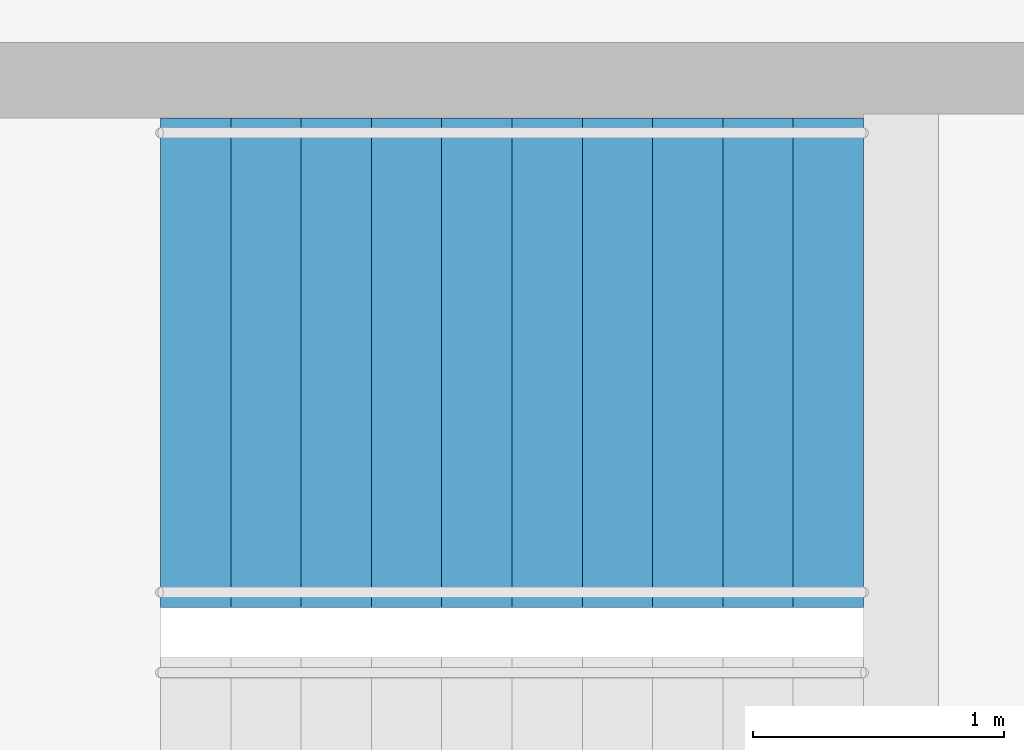
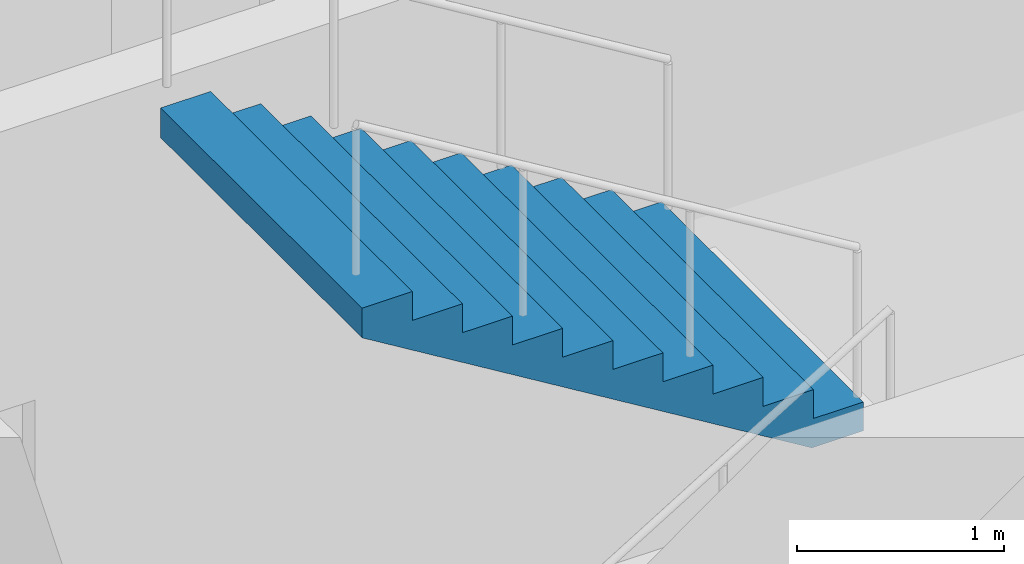
# One storey, part 20 of 23: 1 stair flight, 1 element without a shape of its own.
"""IFC4 building model written with IfcOpenShell, lengths in metres."""

import ifcopenshell
import ifcopenshell.guid

model = None  # the IFC model being written
_history = None  # IfcOwnerHistory: only IFC2X3 demands one
_inside = {}  # id of a spatial element -> (the spatial element, [elements in it])
_under = {}  # id of a project, library or spatial element -> (it, [spatial elements below it])
_declared = {}  # id of a project -> (the project, [libraries it declares])
_typed = {}  # id of a type object -> (the type object, [elements of that type])
_made_of = {}  # id of a material, layer set ... -> (it, [elements and type objects made of it])


def new_model(schema):
    """Start an empty IFC model of exactly this schema.

    Asked for "IFC4X3", IfcOpenShell would pick the latest addendum, in which some entities
    have other attributes; the version numbers below select the first issue.
    IFC2X3 requires an IfcOwnerHistory on every rooted entity: one is made here for all.
    """
    global model, _history
    if schema == "IFC4X3":
        model = ifcopenshell.file(schema_version=(4, 3, 0, 0))
    else:
        model = ifcopenshell.file(schema=schema)
    _inside.clear()
    _under.clear()
    _declared.clear()
    _typed.clear()
    _made_of.clear()
    _history = None
    if model.schema == "IFC2X3":
        org = make("IfcOrganization", Name="unknown")
        user = make(
            "IfcPersonAndOrganization",
            ThePerson=make("IfcPerson", FamilyName="unknown"),
            TheOrganization=org,
        )
        app = make(
            "IfcApplication",
            ApplicationDeveloper=org,
            Version="unknown",
            ApplicationFullName="unknown",
            ApplicationIdentifier="unknown",
        )
        _history = make(
            "IfcOwnerHistory",
            OwningUser=user,
            OwningApplication=app,
            ChangeAction="ADDED",
            CreationDate=0,
        )
    return model


def make(cls, **values):
    """One entity of the class cls with the attributes given. An attribute that is None is left unset."""
    return model.create_entity(
        cls, **{name: value for name, value in values.items() if value is not None}
    )


def rooted(cls, **values):
    """An entity with a GlobalId (a new one), such as an element, a storey or a relation."""
    return make(cls, GlobalId=ifcopenshell.guid.new(), OwnerHistory=_history, **values)


def si_unit(unit_type, name, prefix=None):
    """IfcSIUnit, for example si_unit("LENGTHUNIT", "METRE", prefix="MILLI")."""
    return make("IfcSIUnit", UnitType=unit_type, Prefix=prefix, Name=name)


def assignment(units):
    """IfcUnitAssignment: the units of a project."""
    return None if units is None else make("IfcUnitAssignment", Units=units)


def point(xyz):
    """IfcCartesianPoint."""
    return None if xyz is None else make("IfcCartesianPoint", Coordinates=xyz)


def direction(xyz):
    """IfcDirection."""
    return None if xyz is None else make("IfcDirection", DirectionRatios=xyz)


def frame(location, z_axis=None, x_axis=None):
    """IfcAxis2Placement3D, a coordinate frame: its origin and axes. An axis left out is left unset."""
    return make(
        "IfcAxis2Placement3D",
        Location=point(location),
        Axis=direction(z_axis),
        RefDirection=direction(x_axis),
    )


def origin():
    """The frame at (0, 0, 0) with its axes left unset."""
    return frame((0.0, 0.0, 0.0))


def place(relative_to, where):
    """IfcLocalPlacement: puts the frame where relative to a parent placement (None: the world)."""
    return make(
        "IfcLocalPlacement", PlacementRelTo=relative_to, RelativePlacement=where
    )


def context(
    kind, dimensions, precision=None, world=None, true_north=None, identifier=None
):
    """IfcGeometricRepresentationContext, for example the 3D "Model" context."""
    return make(
        "IfcGeometricRepresentationContext",
        ContextIdentifier=identifier,
        ContextType=kind,
        CoordinateSpaceDimension=dimensions,
        Precision=precision,
        WorldCoordinateSystem=world,
        TrueNorth=true_north,
    )


def subcontext(parent, identifier, kind, view, scale=None):
    """IfcGeometricRepresentationSubContext, for example "Body" below "Model"."""
    return make(
        "IfcGeometricRepresentationSubContext",
        ContextIdentifier=identifier,
        ContextType=kind,
        ParentContext=parent,
        TargetScale=scale,
        TargetView=view,
    )


def project(units=None, contexts=None):
    """IfcProject with its units and contexts."""
    return rooted(
        "IfcProject",
        Name="project",
        RepresentationContexts=contexts,
        UnitsInContext=assignment(units),
    )


def spatial(cls, under=None, at=None, **own):
    """A site, building, storey or space (cls), placed at a placement, below another one or the project."""
    s = rooted(cls, ObjectPlacement=at, **own)
    if under is not None:
        _under.setdefault(under.id(), (under, []))[1].append(s)
    return s


def point_list(points):
    """IfcCartesianPointList2D or 3D."""
    cls = (
        "IfcCartesianPointList2D" if len(points[0]) == 2 else "IfcCartesianPointList3D"
    )
    return make(cls, CoordList=points)


def triangles(points, corners, closed=None, point_numbers=None):
    """IfcTriangulatedFaceSet: each triangle names its three corners, points numbered from 1."""
    return make(
        "IfcTriangulatedFaceSet",
        Coordinates=point_list(points),
        Closed=closed,
        CoordIndex=corners,
        PnIndex=point_numbers,
    )


def shape(context_of_items, identifier, shape_type, items):
    """IfcShapeRepresentation: the items that make up one representation, for example the "Body"."""
    return make(
        "IfcShapeRepresentation",
        ContextOfItems=context_of_items,
        RepresentationIdentifier=identifier,
        RepresentationType=shape_type,
        Items=items,
    )


def material(Name=None, Category=None):
    """IfcMaterial."""
    return make("IfcMaterial", Name=Name, Category=Category)


def made_of(thing, what):
    """Note that an element or type object is made of a material, layer set ...; save() writes the relation."""
    if what is not None:
        _made_of.setdefault(what.id(), (what, []))[1].append(thing)
    return thing


def type_object(cls, material=None, **own):
    """A type object (cls), such as IfcWallType, which elements share."""
    return made_of(rooted(cls, **own), material)


def element(
    cls,
    number,
    at=None,
    inside=None,
    cuts=None,
    type_object=None,
    material=None,
    context=None,
    identifier="Body",
    shape_type=None,
    held_by="IfcProductDefinitionShape",
    body=None,
    shapes=None,
    **own,
):
    """One element of the class cls, such as IfcWall. Its Tag is "e" and its number.

    at: its placement. inside: the storey or other place that contains it. cuts: it is an
    opening in that element (IfcRelVoidsElement). A single representation is given by context,
    identifier, shape_type and body (its items); several are given by shapes. held_by: the class
    of the entity that holds the representations. save() writes the other relations.
    """
    e = rooted(cls, Tag="e%d" % number, ObjectPlacement=at, **own)
    if body is not None:
        shapes = [shape(context, identifier, shape_type, body)]
    if shapes is not None:
        e.Representation = make(held_by, Representations=shapes)
    if inside is not None:
        _inside.setdefault(inside.id(), (inside, []))[1].append(e)
    if cuts is not None:
        rooted(
            "IfcRelVoidsElement", RelatingBuildingElement=cuts, RelatedOpeningElement=e
        )
    if type_object is not None:
        _typed.setdefault(type_object.id(), (type_object, []))[1].append(e)
    return made_of(e, material)


def aggregate(whole, parts):
    """IfcRelAggregates: a whole, such as a stair, and the parts it consists of."""
    return rooted("IfcRelAggregates", RelatingObject=whole, RelatedObjects=parts)


def save(model, path):
    """Write the relations noted so far, then the file.

    IfcRelAggregates (storeys below a building ...), IfcRelContainedInSpatialStructure (elements
    in a storey), IfcRelDefinesByType, IfcRelAssociatesMaterial and IfcRelDeclares: one each for
    every whole, place, type object, material and project.
    """
    for whole, parts in _under.values():
        aggregate(whole, parts)
    for where, things in _inside.values():
        rooted(
            "IfcRelContainedInSpatialStructure",
            RelatedElements=things,
            RelatingStructure=where,
        )
    for kind, things in _typed.values():
        rooted("IfcRelDefinesByType", RelatedObjects=things, RelatingType=kind)
    for what, things in _made_of.values():
        rooted("IfcRelAssociatesMaterial", RelatedObjects=things, RelatingMaterial=what)
    for by, libraries in _declared.values():
        rooted("IfcRelDeclares", RelatingContext=by, RelatedDefinitions=libraries)
    model.write(path)


model = new_model("IFC4")

# Units and contexts
model_context = context("Model", 3, precision=1e-05, world=origin(), true_north=direction((0.0, 1.0)))
body_context = subcontext(model_context, "Body", "Model", "MODEL_VIEW")
ifc_project = project(units=[si_unit("LENGTHUNIT", "METRE"), si_unit("AREAUNIT", "SQUARE_METRE"), si_unit("VOLUMEUNIT", "CUBIC_METRE"), si_unit("PLANEANGLEUNIT", "RADIAN"), si_unit("MASSUNIT", "GRAM", prefix="KILO")], contexts=[model_context])

# Site, building, storey
site_placement = place(None, origin())
site = spatial("IfcSite", under=ifc_project, at=site_placement, CompositionType="ELEMENT")
building_placement = place(site_placement, origin())
building = spatial("IfcBuilding", under=site, at=building_placement, Name="Orbita Commons", CompositionType="ELEMENT")
storey_placement = place(building_placement, frame((0.0, 0.0, 212.800048828125)))
storey = spatial("IfcBuildingStorey", under=building, at=storey_placement, Name="L52", CompositionType="ELEMENT", Elevation=212.800048828125)

# Stair, stair flight
ifc_material_1 = material(Name="Precast concrete C40/50", Category="concrete")
stair_type = type_object("IfcStairType", Name="Exit stair S1 2 flights 11 risers 170", PredefinedType="HALF_TURN_STAIR", material=ifc_material_1)
stair_placement = place(storey_placement, origin())
stair = element("IfcStair", 1, at=stair_placement, inside=storey, type_object=stair_type, Name="Exit stair S1 L52", PredefinedType="HALF_TURN_STAIR")
ifc_material_2 = material(Name="Precast concrete C40/50", Category="concrete")
stair_flight_type = type_object("IfcStairFlightType", Name="Stair flight 11 risers 170 x 280", PredefinedType="STRAIGHT", material=ifc_material_2)
stair_flight_placement = place(storey_placement, frame((23.25, 29.27490234375, 1.875), z_axis=(0.0, 0.0, 1.0), x_axis=(-1.0, 0.0, 0.0)))
stair_flight = element("IfcStairFlight", 2, at=stair_flight_placement, type_object=stair_flight_type, Name="S1 flight 2", NumberOfRisers=11, NumberOfTreads=10, PredefinedType="STRAIGHT", RiserHeight=0.170454545, TreadLength=0.28, context=body_context, shape_type="Tessellation", body=[
    triangles([(0.0, 0.974976, 0.0), (0.0, 0.974976, 0.021307), (0.0, 0.81248, 0.021307), (0.0, 0.81248, 0.0), (0.0, 0.649984, 0.021307), (0.0, 0.649984, 0.0), (0.0, 0.487488, 0.021307), (0.0, 0.487488, 0.0), (0.0, 0.324992, 0.021307), (0.0, 0.324992, 0.0), (0.0, 0.162496, 0.021307), (0.0, 0.162496, 0.0), (0.0, 0.0, 0.021307), (0.0, 0.0, 0.0), (0.0, -0.162496, 0.021307), (0.0, -0.162496, 0.0), (0.0, -0.324992, 0.021307), (0.0, -0.324992, 0.0), (0.0, -0.487488, 0.021307), (0.0, -0.487488, 0.0), (0.0, -0.649984, 0.021307), (0.0, -0.649984, 0.0), (0.0, -0.81248, 0.021307), (0.0, -0.81248, 0.0), (0.0, -0.974976, 0.021307), (0.0, -0.974976, 0.0), (0.0, 0.974976, 0.042614), (0.0, 0.81248, 0.042614), (0.0, 0.649984, 0.042614), (0.0, 0.487488, 0.042614), (0.0, 0.324992, 0.042614), (0.0, 0.162496, 0.042614), (0.0, 0.0, 0.042614), (0.0, -0.162496, 0.042614), (0.0, -0.324992, 0.042614), (0.0, -0.487488, 0.042614), (0.0, -0.649984, 0.042614), (0.0, -0.81248, 0.042614), (0.0, -0.974976, 0.042614), (0.0, 0.974976, 0.06392), (0.0, 0.81248, 0.06392), (0.0, 0.649984, 0.06392), (0.0, 0.487488, 0.06392), (0.0, 0.324992, 0.06392), (0.0, 0.162496, 0.06392), (0.0, 0.0, 0.06392), (0.0, -0.162496, 0.06392), (0.0, -0.324992, 0.06392), (0.0, -0.487488, 0.06392), (0.0, -0.649984, 0.06392), (0.0, -0.81248, 0.06392), (0.0, -0.974976, 0.06392), (0.0, 0.974976, 0.085227), (0.0, 0.81248, 0.085227), (0.0, 0.649984, 0.085227), (0.0, 0.487488, 0.085227), (0.0, 0.324992, 0.085227), (0.0, 0.162496, 0.085227), (0.0, 0.0, 0.085227), (0.0, -0.162496, 0.085227), (0.0, -0.324992, 0.085227), (0.0, -0.487488, 0.085227), (0.0, -0.649984, 0.085227), (0.0, -0.81248, 0.085227), (0.0, -0.974976, 0.085227), (0.0, 0.974976, 0.106534), (0.0, 0.81248, 0.106534), (0.0, 0.649984, 0.106534), (0.0, 0.487488, 0.106534), (0.0, 0.324992, 0.106534), (0.0, 0.162496, 0.106534), (0.0, 0.0, 0.106534), (0.0, -0.162496, 0.106534), (0.0, -0.324992, 0.106534), (0.0, -0.487488, 0.106534), (0.0, -0.649984, 0.106534), (0.0, -0.81248, 0.106534), (0.0, -0.974976, 0.106534), (0.0, 0.974976, 0.127841), (0.0, 0.81248, 0.127841), (0.0, 0.649984, 0.127841), (0.0, 0.487488, 0.127841), (0.0, 0.324992, 0.127841), (0.0, 0.162496, 0.127841), (0.0, 0.0, 0.127841), (0.0, -0.162496, 0.127841), (0.0, -0.324992, 0.127841), (0.0, -0.487488, 0.127841), (0.0, -0.649984, 0.127841), (0.0, -0.81248, 0.127841), (0.0, -0.974976, 0.127841), (0.0, 0.974976, 0.149148), (0.0, 0.81248, 0.149148), (0.0, 0.649984, 0.149148), (0.0, 0.487488, 0.149148), (0.0, 0.324992, 0.149148), (0.0, 0.162496, 0.149148), (0.0, 0.0, 0.149148), (0.0, -0.162496, 0.149148), (0.0, -0.324992, 0.149148), (0.0, -0.487488, 0.149148), (0.0, -0.649984, 0.149148), (0.0, -0.81248, 0.149148), (0.0, -0.974976, 0.149148), (0.0, 0.974976, 0.170455), (0.0, 0.81248, 0.170455), (0.0, 0.649984, 0.170455), (0.0, 0.487488, 0.170455), (0.0, 0.324992, 0.170455), (0.0, 0.162496, 0.170455), (0.0, 0.0, 0.170455), (0.0, -0.162496, 0.170455), (0.0, -0.324992, 0.170455), (0.0, -0.487488, 0.170455), (0.0, -0.649984, 0.170455), (0.0, -0.81248, 0.170455), (0.0, -0.974976, 0.170455), (0.28, 0.974976, 0.170455), (0.28, 0.81248, 0.170455), (0.28, 0.649984, 0.170455), (0.28, 0.487488, 0.170455), (0.28, 0.324992, 0.170455), (0.28, 0.162496, 0.170455), (0.28, 0.0, 0.170455), (0.28, -0.162496, 0.170455), (0.28, -0.324992, 0.170455), (0.28, -0.487488, 0.170455), (0.28, -0.649984, 0.170455), (0.28, -0.81248, 0.170455), (0.28, -0.974976, 0.170455), (0.28, 0.974976, 0.340909), (0.28, 0.81248, 0.340909), (0.28, 0.649984, 0.340909), (0.28, 0.487488, 0.340909), (0.28, 0.324992, 0.340909), (0.28, 0.162496, 0.340909), (0.28, 0.0, 0.340909), (0.28, -0.162496, 0.340909), (0.28, -0.324992, 0.340909), (0.28, -0.487488, 0.340909), (0.28, -0.649984, 0.340909), (0.28, -0.81248, 0.340909), (0.28, -0.974976, 0.340909), (0.56, 0.974976, 0.340909), (0.56, 0.81248, 0.340909), (0.56, 0.649984, 0.340909), (0.56, 0.487488, 0.340909), (0.56, 0.324992, 0.340909), (0.56, 0.162496, 0.340909), (0.56, 0.0, 0.340909), (0.56, -0.162496, 0.340909), (0.56, -0.324992, 0.340909), (0.56, -0.487488, 0.340909), (0.56, -0.649984, 0.340909), (0.56, -0.81248, 0.340909), (0.56, -0.974976, 0.340909), (0.56, 0.974976, 0.511364), (0.56, 0.81248, 0.511364), (0.56, 0.649984, 0.511364), (0.56, 0.487488, 0.511364), (0.56, 0.324992, 0.511364), (0.56, 0.162496, 0.511364), (0.56, 0.0, 0.511364), (0.56, -0.162496, 0.511364), (0.56, -0.324992, 0.511364), (0.56, -0.487488, 0.511364), (0.56, -0.649984, 0.511364), (0.56, -0.81248, 0.511364), (0.56, -0.974976, 0.511364), (0.84, 0.974976, 0.511364), (0.84, 0.81248, 0.511364), (0.84, 0.649984, 0.511364), (0.84, 0.487488, 0.511364), (0.84, 0.324992, 0.511364), (0.84, 0.162496, 0.511364), (0.84, 0.0, 0.511364), (0.84, -0.162496, 0.511364), (0.84, -0.324992, 0.511364), (0.84, -0.487488, 0.511364), (0.84, -0.649984, 0.511364), (0.84, -0.81248, 0.511364), (0.84, -0.974976, 0.511364), (0.84, 0.974976, 0.681818), (0.84, 0.81248, 0.681818), (0.84, 0.649984, 0.681818), (0.84, 0.487488, 0.681818), (0.84, 0.324992, 0.681818), (0.84, 0.162496, 0.681818), (0.84, 0.0, 0.681818), (0.84, -0.162496, 0.681818), (0.84, -0.324992, 0.681818), (0.84, -0.487488, 0.681818), (0.84, -0.649984, 0.681818), (0.84, -0.81248, 0.681818), (0.84, -0.974976, 0.681818), (1.12, 0.974976, 0.681818), (1.12, 0.81248, 0.681818), (1.12, 0.649984, 0.681818), (1.12, 0.487488, 0.681818), (1.12, 0.324992, 0.681818), (1.12, 0.162496, 0.681818), (1.12, 0.0, 0.681818), (1.12, -0.162496, 0.681818), (1.12, -0.324992, 0.681818), (1.12, -0.487488, 0.681818), (1.12, -0.649984, 0.681818), (1.12, -0.81248, 0.681818), (1.12, -0.974976, 0.681818), (1.12, 0.974976, 0.852273), (1.12, 0.81248, 0.852273), (1.12, 0.649984, 0.852273), (1.12, 0.487488, 0.852273), (1.12, 0.324992, 0.852273), (1.12, 0.162496, 0.852273), (1.12, 0.0, 0.852273), (1.12, -0.162496, 0.852273), (1.12, -0.324992, 0.852273), (1.12, -0.487488, 0.852273), (1.12, -0.649984, 0.852273), (1.12, -0.81248, 0.852273), (1.12, -0.974976, 0.852273), (1.4, 0.974976, 0.852273), (1.4, 0.81248, 0.852273), (1.4, 0.649984, 0.852273), (1.4, 0.487488, 0.852273), (1.4, 0.324992, 0.852273), (1.4, 0.162496, 0.852273), (1.4, 0.0, 0.852273), (1.4, -0.162496, 0.852273), (1.4, -0.324992, 0.852273), (1.4, -0.487488, 0.852273), (1.4, -0.649984, 0.852273), (1.4, -0.81248, 0.852273), (1.4, -0.974976, 0.852273), (1.4, 0.974976, 1.022727), (1.4, 0.81248, 1.022727), (1.4, 0.649984, 1.022727), (1.4, 0.487488, 1.022727), (1.4, 0.324992, 1.022727), (1.4, 0.162496, 1.022727), (1.4, 0.0, 1.022727), (1.4, -0.162496, 1.022727), (1.4, -0.324992, 1.022727), (1.4, -0.487488, 1.022727), (1.4, -0.649984, 1.022727), (1.4, -0.81248, 1.022727), (1.4, -0.974976, 1.022727), (1.68, 0.974976, 1.022727), (1.68, 0.81248, 1.022727), (1.68, 0.649984, 1.022727), (1.68, 0.487488, 1.022727), (1.68, 0.324992, 1.022727), (1.68, 0.162496, 1.022727), (1.68, 0.0, 1.022727), (1.68, -0.162496, 1.022727), (1.68, -0.324992, 1.022727), (1.68, -0.487488, 1.022727), (1.68, -0.649984, 1.022727), (1.68, -0.81248, 1.022727), (1.68, -0.974976, 1.022727), (1.68, 0.974976, 1.193182), (1.68, 0.81248, 1.193182), (1.68, 0.649984, 1.193182), (1.68, 0.487488, 1.193182), (1.68, 0.324992, 1.193182), (1.68, 0.162496, 1.193182), (1.68, 0.0, 1.193182), (1.68, -0.162496, 1.193182), (1.68, -0.324992, 1.193182), (1.68, -0.487488, 1.193182), (1.68, -0.649984, 1.193182), (1.68, -0.81248, 1.193182), (1.68, -0.974976, 1.193182), (1.96, 0.974976, 1.193182), (1.96, 0.81248, 1.193182), (1.96, 0.649984, 1.193182), (1.96, 0.487488, 1.193182), (1.96, 0.324992, 1.193182), (1.96, 0.162496, 1.193182), (1.96, 0.0, 1.193182), (1.96, -0.162496, 1.193182), (1.96, -0.324992, 1.193182), (1.96, -0.487488, 1.193182), (1.96, -0.649984, 1.193182), (1.96, -0.81248, 1.193182), (1.96, -0.974976, 1.193182), (1.96, 0.974976, 1.363636), (1.96, 0.81248, 1.363636), (1.96, 0.649984, 1.363636), (1.96, 0.487488, 1.363636), (1.96, 0.324992, 1.363636), (1.96, 0.162496, 1.363636), (1.96, 0.0, 1.363636), (1.96, -0.162496, 1.363636), (1.96, -0.324992, 1.363636), (1.96, -0.487488, 1.363636), (1.96, -0.649984, 1.363636), (1.96, -0.81248, 1.363636), (1.96, -0.974976, 1.363636), (2.24, 0.974976, 1.363636), (2.24, 0.81248, 1.363636), (2.24, 0.649984, 1.363636), (2.24, 0.487488, 1.363636), (2.24, 0.324992, 1.363636), (2.24, 0.162496, 1.363636), (2.24, 0.0, 1.363636), (2.24, -0.162496, 1.363636), (2.24, -0.324992, 1.363636), (2.24, -0.487488, 1.363636), (2.24, -0.649984, 1.363636), (2.24, -0.81248, 1.363636), (2.24, -0.974976, 1.363636), (2.24, 0.974976, 1.534091), (2.24, 0.81248, 1.534091), (2.24, 0.649984, 1.534091), (2.24, 0.487488, 1.534091), (2.24, 0.324992, 1.534091), (2.24, 0.162496, 1.534091), (2.24, 0.0, 1.534091), (2.24, -0.162496, 1.534091), (2.24, -0.324992, 1.534091), (2.24, -0.487488, 1.534091), (2.24, -0.649984, 1.534091), (2.24, -0.81248, 1.534091), (2.24, -0.974976, 1.534091), (2.52, 0.974976, 1.534091), (2.52, 0.81248, 1.534091), (2.52, 0.649984, 1.534091), (2.52, 0.487488, 1.534091), (2.52, 0.324992, 1.534091), (2.52, 0.162496, 1.534091), (2.52, 0.0, 1.534091), (2.52, -0.162496, 1.534091), (2.52, -0.324992, 1.534091), (2.52, -0.487488, 1.534091), (2.52, -0.649984, 1.534091), (2.52, -0.81248, 1.534091), (2.52, -0.974976, 1.534091), (2.52, 0.974976, 1.704545), (2.52, 0.81248, 1.704545), (2.52, 0.649984, 1.704545), (2.52, 0.487488, 1.704545), (2.52, 0.324992, 1.704545), (2.52, 0.162496, 1.704545), (2.52, 0.0, 1.704545), (2.52, -0.162496, 1.704545), (2.52, -0.324992, 1.704545), (2.52, -0.487488, 1.704545), (2.52, -0.649984, 1.704545), (2.52, -0.81248, 1.704545), (2.52, -0.974976, 1.704545), (2.8, 0.974976, 1.704545), (2.8, 0.81248, 1.704545), (2.8, 0.649984, 1.704545), (2.8, 0.487488, 1.704545), (2.8, 0.324992, 1.704545), (2.8, 0.162496, 1.704545), (2.8, 0.0, 1.704545), (2.8, -0.162496, 1.704545), (2.8, -0.324992, 1.704545), (2.8, -0.487488, 1.704545), (2.8, -0.649984, 1.704545), (2.8, -0.81248, 1.704545), (2.8, -0.974976, 1.704545), (2.8, 0.974976, 1.682609), (2.8, 0.81248, 1.682609), (2.8, 0.649984, 1.682609), (2.8, 0.487488, 1.682609), (2.8, 0.324992, 1.682609), (2.8, 0.162496, 1.682609), (2.8, 0.0, 1.682609), (2.8, -0.162496, 1.682609), (2.8, -0.324992, 1.682609), (2.8, -0.487488, 1.682609), (2.8, -0.649984, 1.682609), (2.8, -0.81248, 1.682609), (2.8, -0.974976, 1.682609), (2.8, 0.974976, 1.660672), (2.8, 0.81248, 1.660672), (2.8, 0.649984, 1.660672), (2.8, 0.487488, 1.660672), (2.8, 0.324992, 1.660672), (2.8, 0.162496, 1.660672), (2.8, 0.0, 1.660672), (2.8, -0.162496, 1.660672), (2.8, -0.324992, 1.660672), (2.8, -0.487488, 1.660672), (2.8, -0.649984, 1.660672), (2.8, -0.81248, 1.660672), (2.8, -0.974976, 1.660672), (2.8, 0.974976, 1.638735), (2.8, 0.81248, 1.638735), (2.8, 0.649984, 1.638735), (2.8, 0.487488, 1.638735), (2.8, 0.324992, 1.638735), (2.8, 0.162496, 1.638735), (2.8, 0.0, 1.638735), (2.8, -0.162496, 1.638735), (2.8, -0.324992, 1.638735), (2.8, -0.487488, 1.638735), (2.8, -0.649984, 1.638735), (2.8, -0.81248, 1.638735), (2.8, -0.974976, 1.638735), (2.8, 0.974976, 1.616798), (2.8, 0.81248, 1.616798), (2.8, 0.649984, 1.616798), (2.8, 0.487488, 1.616798), (2.8, 0.324992, 1.616798), (2.8, 0.162496, 1.616798), (2.8, 0.0, 1.616798), (2.8, -0.162496, 1.616798), (2.8, -0.324992, 1.616798), (2.8, -0.487488, 1.616798), (2.8, -0.649984, 1.616798), (2.8, -0.81248, 1.616798), (2.8, -0.974976, 1.616798), (2.8, 0.974976, 1.594861), (2.8, 0.81248, 1.594861), (2.8, 0.649984, 1.594861), (2.8, 0.487488, 1.594861), (2.8, 0.324992, 1.594861), (2.8, 0.162496, 1.594861), (2.8, 0.0, 1.594861), (2.8, -0.162496, 1.594861), (2.8, -0.324992, 1.594861), (2.8, -0.487488, 1.594861), (2.8, -0.649984, 1.594861), (2.8, -0.81248, 1.594861), (2.8, -0.974976, 1.594861), (2.8, 0.974976, 1.572925), (2.8, 0.81248, 1.572925), (2.8, 0.649984, 1.572925), (2.8, 0.487488, 1.572925), (2.8, 0.324992, 1.572925), (2.8, 0.162496, 1.572925), (2.8, 0.0, 1.572925), (2.8, -0.162496, 1.572925), (2.8, -0.324992, 1.572925), (2.8, -0.487488, 1.572925), (2.8, -0.649984, 1.572925), (2.8, -0.81248, 1.572925), (2.8, -0.974976, 1.572925), (2.8, 0.974976, 1.550988), (2.8, 0.81248, 1.550988), (2.8, 0.649984, 1.550988), (2.8, 0.487488, 1.550988), (2.8, 0.324992, 1.550988), (2.8, 0.162496, 1.550988), (2.8, 0.0, 1.550988), (2.8, -0.162496, 1.550988), (2.8, -0.324992, 1.550988), (2.8, -0.487488, 1.550988), (2.8, -0.649984, 1.550988), (2.8, -0.81248, 1.550988), (2.8, -0.974976, 1.550988), (2.8, 0.974976, 1.529051), (2.8, 0.81248, 1.529051), (2.8, 0.649984, 1.529051), (2.8, 0.487488, 1.529051), (2.8, 0.324992, 1.529051), (2.8, 0.162496, 1.529051), (2.8, 0.0, 1.529051), (2.8, -0.162496, 1.529051), (2.8, -0.324992, 1.529051), (2.8, -0.487488, 1.529051), (2.8, -0.649984, 1.529051), (2.8, -0.81248, 1.529051), (2.8, -0.974976, 1.529051), (0.288279, 0.974976, 0.0), (0.288279, 0.81248, 0.0), (0.288279, 0.649984, 0.0), (0.288279, 0.487488, 0.0), (0.288279, 0.324992, 0.0), (0.288279, 0.162496, 0.0), (0.288279, 0.0, 0.0), (0.288279, -0.162496, 0.0), (0.288279, -0.324992, 0.0), (0.288279, -0.487488, 0.0), (0.288279, -0.649984, 0.0), (0.288279, -0.81248, 0.0), (0.288279, -0.974976, 0.0)], [[3, 2, 1], [4, 3, 1], [5, 3, 4], [6, 5, 4], [7, 5, 6], [8, 7, 6], [9, 7, 8], [10, 9, 8], [11, 9, 10], [12, 11, 10], [13, 11, 12], [14, 13, 12], [15, 13, 14], [16, 15, 14], [17, 15, 16], [18, 17, 16], [19, 17, 18], [20, 19, 18], [21, 19, 20], [22, 21, 20], [23, 21, 22], [24, 23, 22], [25, 23, 24], [26, 25, 24], [28, 27, 2], [3, 28, 2], [29, 28, 3], [5, 29, 3], [30, 29, 5], [7, 30, 5], [31, 30, 7], [9, 31, 7], [32, 31, 9], [11, 32, 9], [33, 32, 11], [13, 33, 11], [34, 33, 13], [15, 34, 13], [35, 34, 15], [17, 35, 15], [36, 35, 17], [19, 36, 17], [37, 36, 19], [21, 37, 19], [38, 37, 21], [23, 38, 21], [39, 38, 23], [25, 39, 23], [41, 40, 27], [28, 41, 27], [42, 41, 28], [29, 42, 28], [43, 42, 29], [30, 43, 29], [44, 43, 30], [31, 44, 30], [45, 44, 31], [32, 45, 31], [46, 45, 32], [33, 46, 32], [47, 46, 33], [34, 47, 33], [48, 47, 34], [35, 48, 34], [49, 48, 35], [36, 49, 35], [50, 49, 36], [37, 50, 36], [51, 50, 37], [38, 51, 37], [52, 51, 38], [39, 52, 38], [54, 53, 40], [41, 54, 40], [55, 54, 41], [42, 55, 41], [56, 55, 42], [43, 56, 42], [57, 56, 43], [44, 57, 43], [58, 57, 44], [45, 58, 44], [59, 58, 45], [46, 59, 45], [60, 59, 46], [47, 60, 46], [61, 60, 47], [48, 61, 47], [62, 61, 48], [49, 62, 48], [63, 62, 49], [50, 63, 49], [64, 63, 50], [51, 64, 50], [65, 64, 51], [52, 65, 51], [67, 66, 53], [54, 67, 53], [68, 67, 54], [55, 68, 54], [69, 68, 55], [56, 69, 55], [70, 69, 56], [57, 70, 56], [71, 70, 57], [58, 71, 57], [72, 71, 58], [59, 72, 58], [73, 72, 59], [60, 73, 59], [74, 73, 60], [61, 74, 60], [75, 74, 61], [62, 75, 61], [76, 75, 62], [63, 76, 62], [77, 76, 63], [64, 77, 63], [78, 77, 64], [65, 78, 64], [80, 79, 66], [67, 80, 66], [81, 80, 67], [68, 81, 67], [82, 81, 68], [69, 82, 68], [83, 82, 69], [70, 83, 69], [84, 83, 70], [71, 84, 70], [85, 84, 71], [72, 85, 71], [86, 85, 72], [73, 86, 72], [87, 86, 73], [74, 87, 73], [88, 87, 74], [75, 88, 74], [89, 88, 75], [76, 89, 75], [90, 89, 76], [77, 90, 76], [91, 90, 77], [78, 91, 77], [93, 92, 79], [80, 93, 79], [94, 93, 80], [81, 94, 80], [95, 94, 81], [82, 95, 81], [96, 95, 82], [83, 96, 82], [97, 96, 83], [84, 97, 83], [98, 97, 84], [85, 98, 84], [99, 98, 85], [86, 99, 85], [100, 99, 86], [87, 100, 86], [101, 100, 87], [88, 101, 87], [102, 101, 88], [89, 102, 88], [103, 102, 89], [90, 103, 89], [104, 103, 90], [91, 104, 90], [106, 105, 92], [93, 106, 92], [107, 106, 93], [94, 107, 93], [108, 107, 94], [95, 108, 94], [109, 108, 95], [96, 109, 95], [110, 109, 96], [97, 110, 96], [111, 110, 97], [98, 111, 97], [112, 111, 98], [99, 112, 98], [113, 112, 99], [100, 113, 99], [114, 113, 100], [101, 114, 100], [115, 114, 101], [102, 115, 101], [116, 115, 102], [103, 116, 102], [117, 116, 103], [104, 117, 103], [119, 118, 105], [106, 119, 105], [120, 119, 106], [107, 120, 106], [121, 120, 107], [108, 121, 107], [122, 121, 108], [109, 122, 108], [123, 122, 109], [110, 123, 109], [124, 123, 110], [111, 124, 110], [125, 124, 111], [112, 125, 111], [126, 125, 112], [113, 126, 112], [127, 126, 113], [114, 127, 113], [128, 127, 114], [115, 128, 114], [129, 128, 115], [116, 129, 115], [130, 129, 116], [117, 130, 116], [132, 131, 118], [119, 132, 118], [133, 132, 119], [120, 133, 119], [134, 133, 120], [121, 134, 120], [135, 134, 121], [122, 135, 121], [136, 135, 122], [123, 136, 122], [137, 136, 123], [124, 137, 123], [138, 137, 124], [125, 138, 124], [139, 138, 125], [126, 139, 125], [140, 139, 126], [127, 140, 126], [141, 140, 127], [128, 141, 127], [142, 141, 128], [129, 142, 128], [143, 142, 129], [130, 143, 129], [145, 144, 131], [132, 145, 131], [146, 145, 132], [133, 146, 132], [147, 146, 133], [134, 147, 133], [148, 147, 134], [135, 148, 134], [149, 148, 135], [136, 149, 135], [150, 149, 136], [137, 150, 136], [151, 150, 137], [138, 151, 137], [152, 151, 138], [139, 152, 138], [153, 152, 139], [140, 153, 139], [154, 153, 140], [141, 154, 140], [155, 154, 141], [142, 155, 141], [156, 155, 142], [143, 156, 142], [158, 157, 144], [145, 158, 144], [159, 158, 145], [146, 159, 145], [160, 159, 146], [147, 160, 146], [161, 160, 147], [148, 161, 147], [162, 161, 148], [149, 162, 148], [163, 162, 149], [150, 163, 149], [164, 163, 150], [151, 164, 150], [165, 164, 151], [152, 165, 151], [166, 165, 152], [153, 166, 152], [167, 166, 153], [154, 167, 153], [168, 167, 154], [155, 168, 154], [169, 168, 155], [156, 169, 155], [171, 170, 157], [158, 171, 157], [172, 171, 158], [159, 172, 158], [173, 172, 159], [160, 173, 159], [174, 173, 160], [161, 174, 160], [175, 174, 161], [162, 175, 161], [176, 175, 162], [163, 176, 162], [177, 176, 163], [164, 177, 163], [178, 177, 164], [165, 178, 164], [179, 178, 165], [166, 179, 165], [180, 179, 166], [167, 180, 166], [181, 180, 167], [168, 181, 167], [182, 181, 168], [169, 182, 168], [184, 183, 170], [171, 184, 170], [185, 184, 171], [172, 185, 171], [186, 185, 172], [173, 186, 172], [187, 186, 173], [174, 187, 173], [188, 187, 174], [175, 188, 174], [189, 188, 175], [176, 189, 175], [190, 189, 176], [177, 190, 176], [191, 190, 177], [178, 191, 177], [192, 191, 178], [179, 192, 178], [193, 192, 179], [180, 193, 179], [194, 193, 180], [181, 194, 180], [195, 194, 181], [182, 195, 181], [197, 196, 183], [184, 197, 183], [198, 197, 184], [185, 198, 184], [199, 198, 185], [186, 199, 185], [200, 199, 186], [187, 200, 186], [201, 200, 187], [188, 201, 187], [202, 201, 188], [189, 202, 188], [203, 202, 189], [190, 203, 189], [204, 203, 190], [191, 204, 190], [205, 204, 191], [192, 205, 191], [206, 205, 192], [193, 206, 192], [207, 206, 193], [194, 207, 193], [208, 207, 194], [195, 208, 194], [210, 209, 196], [197, 210, 196], [211, 210, 197], [198, 211, 197], [212, 211, 198], [199, 212, 198], [213, 212, 199], [200, 213, 199], [214, 213, 200], [201, 214, 200], [215, 214, 201], [202, 215, 201], [216, 215, 202], [203, 216, 202], [217, 216, 203], [204, 217, 203], [218, 217, 204], [205, 218, 204], [219, 218, 205], [206, 219, 205], [220, 219, 206], [207, 220, 206], [221, 220, 207], [208, 221, 207], [223, 222, 209], [210, 223, 209], [224, 223, 210], [211, 224, 210], [225, 224, 211], [212, 225, 211], [226, 225, 212], [213, 226, 212], [227, 226, 213], [214, 227, 213], [228, 227, 214], [215, 228, 214], [229, 228, 215], [216, 229, 215], [230, 229, 216], [217, 230, 216], [231, 230, 217], [218, 231, 217], [232, 231, 218], [219, 232, 218], [233, 232, 219], [220, 233, 219], [234, 233, 220], [221, 234, 220], [236, 235, 222], [223, 236, 222], [237, 236, 223], [224, 237, 223], [238, 237, 224], [225, 238, 224], [239, 238, 225], [226, 239, 225], [240, 239, 226], [227, 240, 226], [241, 240, 227], [228, 241, 227], [242, 241, 228], [229, 242, 228], [243, 242, 229], [230, 243, 229], [244, 243, 230], [231, 244, 230], [245, 244, 231], [232, 245, 231], [246, 245, 232], [233, 246, 232], [247, 246, 233], [234, 247, 233], [249, 248, 235], [236, 249, 235], [250, 249, 236], [237, 250, 236], [251, 250, 237], [238, 251, 237], [252, 251, 238], [239, 252, 238], [253, 252, 239], [240, 253, 239], [254, 253, 240], [241, 254, 240], [255, 254, 241], [242, 255, 241], [256, 255, 242], [243, 256, 242], [257, 256, 243], [244, 257, 243], [258, 257, 244], [245, 258, 244], [259, 258, 245], [246, 259, 245], [260, 259, 246], [247, 260, 246], [262, 261, 248], [249, 262, 248], [263, 262, 249], [250, 263, 249], [264, 263, 250], [251, 264, 250], [265, 264, 251], [252, 265, 251], [266, 265, 252], [253, 266, 252], [267, 266, 253], [254, 267, 253], [268, 267, 254], [255, 268, 254], [269, 268, 255], [256, 269, 255], [270, 269, 256], [257, 270, 256], [271, 270, 257], [258, 271, 257], [272, 271, 258], [259, 272, 258], [273, 272, 259], [260, 273, 259], [275, 274, 261], [262, 275, 261], [276, 275, 262], [263, 276, 262], [277, 276, 263], [264, 277, 263], [278, 277, 264], [265, 278, 264], [279, 278, 265], [266, 279, 265], [280, 279, 266], [267, 280, 266], [281, 280, 267], [268, 281, 267], [282, 281, 268], [269, 282, 268], [283, 282, 269], [270, 283, 269], [284, 283, 270], [271, 284, 270], [285, 284, 271], [272, 285, 271], [286, 285, 272], [273, 286, 272], [288, 287, 274], [275, 288, 274], [289, 288, 275], [276, 289, 275], [290, 289, 276], [277, 290, 276], [291, 290, 277], [278, 291, 277], [292, 291, 278], [279, 292, 278], [293, 292, 279], [280, 293, 279], [294, 293, 280], [281, 294, 280], [295, 294, 281], [282, 295, 281], [296, 295, 282], [283, 296, 282], [297, 296, 283], [284, 297, 283], [298, 297, 284], [285, 298, 284], [299, 298, 285], [286, 299, 285], [301, 300, 287], [288, 301, 287], [302, 301, 288], [289, 302, 288], [303, 302, 289], [290, 303, 289], [304, 303, 290], [291, 304, 290], [305, 304, 291], [292, 305, 291], [306, 305, 292], [293, 306, 292], [307, 306, 293], [294, 307, 293], [308, 307, 294], [295, 308, 294], [309, 308, 295], [296, 309, 295], [310, 309, 296], [297, 310, 296], [311, 310, 297], [298, 311, 297], [312, 311, 298], [299, 312, 298], [314, 313, 300], [301, 314, 300], [315, 314, 301], [302, 315, 301], [316, 315, 302], [303, 316, 302], [317, 316, 303], [304, 317, 303], [318, 317, 304], [305, 318, 304], [319, 318, 305], [306, 319, 305], [320, 319, 306], [307, 320, 306], [321, 320, 307], [308, 321, 307], [322, 321, 308], [309, 322, 308], [323, 322, 309], [310, 323, 309], [324, 323, 310], [311, 324, 310], [325, 324, 311], [312, 325, 311], [327, 326, 313], [314, 327, 313], [328, 327, 314], [315, 328, 314], [329, 328, 315], [316, 329, 315], [330, 329, 316], [317, 330, 316], [331, 330, 317], [318, 331, 317], [332, 331, 318], [319, 332, 318], [333, 332, 319], [320, 333, 319], [334, 333, 320], [321, 334, 320], [335, 334, 321], [322, 335, 321], [336, 335, 322], [323, 336, 322], [337, 336, 323], [324, 337, 323], [338, 337, 324], [325, 338, 324], [340, 339, 326], [327, 340, 326], [341, 340, 327], [328, 341, 327], [342, 341, 328], [329, 342, 328], [343, 342, 329], [330, 343, 329], [344, 343, 330], [331, 344, 330], [345, 344, 331], [332, 345, 331], [346, 345, 332], [333, 346, 332], [347, 346, 333], [334, 347, 333], [348, 347, 334], [335, 348, 334], [349, 348, 335], [336, 349, 335], [350, 349, 336], [337, 350, 336], [351, 350, 337], [338, 351, 337], [353, 352, 339], [340, 353, 339], [354, 353, 340], [341, 354, 340], [355, 354, 341], [342, 355, 341], [356, 355, 342], [343, 356, 342], [357, 356, 343], [344, 357, 343], [358, 357, 344], [345, 358, 344], [359, 358, 345], [346, 359, 345], [360, 359, 346], [347, 360, 346], [361, 360, 347], [348, 361, 347], [362, 361, 348], [349, 362, 348], [363, 362, 349], [350, 363, 349], [364, 363, 350], [351, 364, 350], [366, 365, 352], [353, 366, 352], [367, 366, 353], [354, 367, 353], [368, 367, 354], [355, 368, 354], [369, 368, 355], [356, 369, 355], [370, 369, 356], [357, 370, 356], [371, 370, 357], [358, 371, 357], [372, 371, 358], [359, 372, 358], [373, 372, 359], [360, 373, 359], [374, 373, 360], [361, 374, 360], [375, 374, 361], [362, 375, 361], [376, 375, 362], [363, 376, 362], [377, 376, 363], [364, 377, 363], [379, 378, 365], [366, 379, 365], [380, 379, 366], [367, 380, 366], [381, 380, 367], [368, 381, 367], [382, 381, 368], [369, 382, 368], [383, 382, 369], [370, 383, 369], [384, 383, 370], [371, 384, 370], [385, 384, 371], [372, 385, 371], [386, 385, 372], [373, 386, 372], [387, 386, 373], [374, 387, 373], [388, 387, 374], [375, 388, 374], [389, 388, 375], [376, 389, 375], [390, 389, 376], [377, 390, 376], [392, 391, 378], [379, 392, 378], [393, 392, 379], [380, 393, 379], [394, 393, 380], [381, 394, 380], [395, 394, 381], [382, 395, 381], [396, 395, 382], [383, 396, 382], [397, 396, 383], [384, 397, 383], [398, 397, 384], [385, 398, 384], [399, 398, 385], [386, 399, 385], [400, 399, 386], [387, 400, 386], [401, 400, 387], [388, 401, 387], [402, 401, 388], [389, 402, 388], [403, 402, 389], [390, 403, 389], [405, 404, 391], [392, 405, 391], [406, 405, 392], [393, 406, 392], [407, 406, 393], [394, 407, 393], [408, 407, 394], [395, 408, 394], [409, 408, 395], [396, 409, 395], [410, 409, 396], [397, 410, 396], [411, 410, 397], [398, 411, 397], [412, 411, 398], [399, 412, 398], [413, 412, 399], [400, 413, 399], [414, 413, 400], [401, 414, 400], [415, 414, 401], [402, 415, 401], [416, 415, 402], [403, 416, 402], [418, 417, 404], [405, 418, 404], [419, 418, 405], [406, 419, 405], [420, 419, 406], [407, 420, 406], [421, 420, 407], [408, 421, 407], [422, 421, 408], [409, 422, 408], [423, 422, 409], [410, 423, 409], [424, 423, 410], [411, 424, 410], [425, 424, 411], [412, 425, 411], [426, 425, 412], [413, 426, 412], [427, 426, 413], [414, 427, 413], [428, 427, 414], [415, 428, 414], [429, 428, 415], [416, 429, 415], [431, 430, 417], [418, 431, 417], [432, 431, 418], [419, 432, 418], [433, 432, 419], [420, 433, 419], [434, 433, 420], [421, 434, 420], [435, 434, 421], [422, 435, 421], [436, 435, 422], [423, 436, 422], [437, 436, 423], [424, 437, 423], [438, 437, 424], [425, 438, 424], [439, 438, 425], [426, 439, 425], [440, 439, 426], [427, 440, 426], [441, 440, 427], [428, 441, 427], [442, 441, 428], [429, 442, 428], [444, 443, 430], [431, 444, 430], [445, 444, 431], [432, 445, 431], [446, 445, 432], [433, 446, 432], [447, 446, 433], [434, 447, 433], [448, 447, 434], [435, 448, 434], [449, 448, 435], [436, 449, 435], [450, 449, 436], [437, 450, 436], [451, 450, 437], [438, 451, 437], [452, 451, 438], [439, 452, 438], [453, 452, 439], [440, 453, 439], [454, 453, 440], [441, 454, 440], [455, 454, 441], [442, 455, 441], [457, 456, 443], [444, 457, 443], [458, 457, 444], [445, 458, 444], [459, 458, 445], [446, 459, 445], [460, 459, 446], [447, 460, 446], [461, 460, 447], [448, 461, 447], [462, 461, 448], [449, 462, 448], [463, 462, 449], [450, 463, 449], [464, 463, 450], [451, 464, 450], [465, 464, 451], [452, 465, 451], [466, 465, 452], [453, 466, 452], [467, 466, 453], [454, 467, 453], [468, 467, 454], [455, 468, 454], [470, 469, 456], [457, 470, 456], [471, 470, 457], [458, 471, 457], [472, 471, 458], [459, 472, 458], [473, 472, 459], [460, 473, 459], [474, 473, 460], [461, 474, 460], [475, 474, 461], [462, 475, 461], [476, 475, 462], [463, 476, 462], [477, 476, 463], [464, 477, 463], [478, 477, 464], [465, 478, 464], [479, 478, 465], [466, 479, 465], [480, 479, 466], [467, 480, 466], [481, 480, 467], [468, 481, 467], [4, 1, 469], [470, 4, 469], [6, 4, 470], [471, 6, 470], [8, 6, 471], [472, 8, 471], [10, 8, 472], [473, 10, 472], [12, 10, 473], [474, 12, 473], [14, 12, 474], [475, 14, 474], [16, 14, 475], [476, 16, 475], [18, 16, 476], [477, 18, 476], [20, 18, 477], [478, 20, 477], [22, 20, 478], [479, 22, 478], [24, 22, 479], [480, 24, 479], [26, 24, 480], [481, 26, 480], [456, 469, 1], [26, 481, 468], [443, 456, 1], [26, 468, 455], [430, 443, 1], [26, 455, 442], [417, 430, 1], [26, 442, 429], [404, 417, 1], [26, 429, 416], [391, 404, 1], [26, 416, 403], [378, 391, 1], [26, 403, 390], [365, 378, 1], [26, 390, 377], [339, 352, 365], [377, 364, 351], [326, 339, 365], [377, 351, 338], [300, 313, 326], [338, 325, 312], [300, 326, 365], [377, 338, 312], [274, 287, 300], [312, 299, 286], [274, 300, 365], [377, 312, 286], [248, 261, 274], [286, 273, 260], [248, 274, 365], [377, 286, 260], [222, 235, 248], [260, 247, 234], [222, 248, 365], [377, 260, 234], [196, 209, 222], [234, 221, 208], [196, 222, 365], [377, 234, 208], [170, 183, 196], [208, 195, 182], [170, 196, 365], [377, 208, 182], [144, 157, 170], [182, 169, 156], [144, 170, 365], [377, 182, 156], [118, 131, 144], [156, 143, 130], [118, 144, 365], [377, 156, 130], [118, 365, 1], [26, 377, 130], [92, 105, 118], [130, 117, 104], [79, 92, 118], [130, 104, 91], [66, 79, 118], [130, 91, 78], [53, 66, 118], [130, 78, 65], [40, 53, 118], [130, 65, 52], [27, 40, 118], [130, 52, 39], [2, 27, 118], [130, 39, 25], [1, 2, 118], [130, 25, 26]], closed=True),
])
aggregate(stair, [stair_flight])

save(model, "model.ifc")
